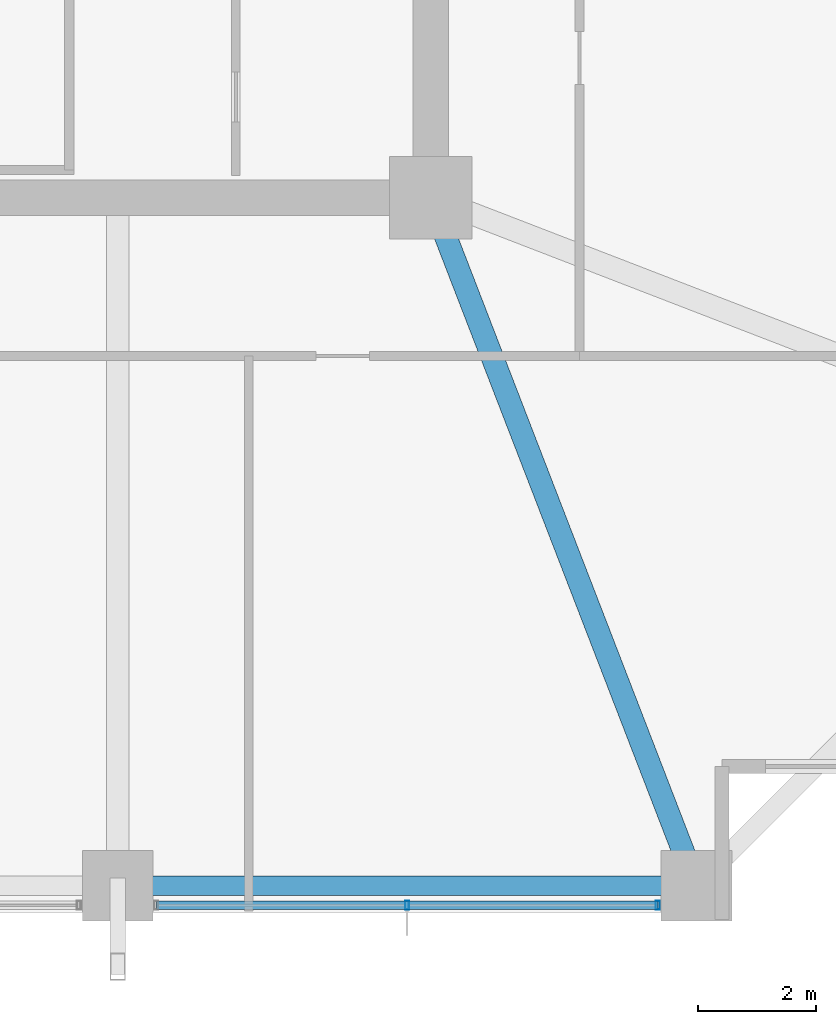
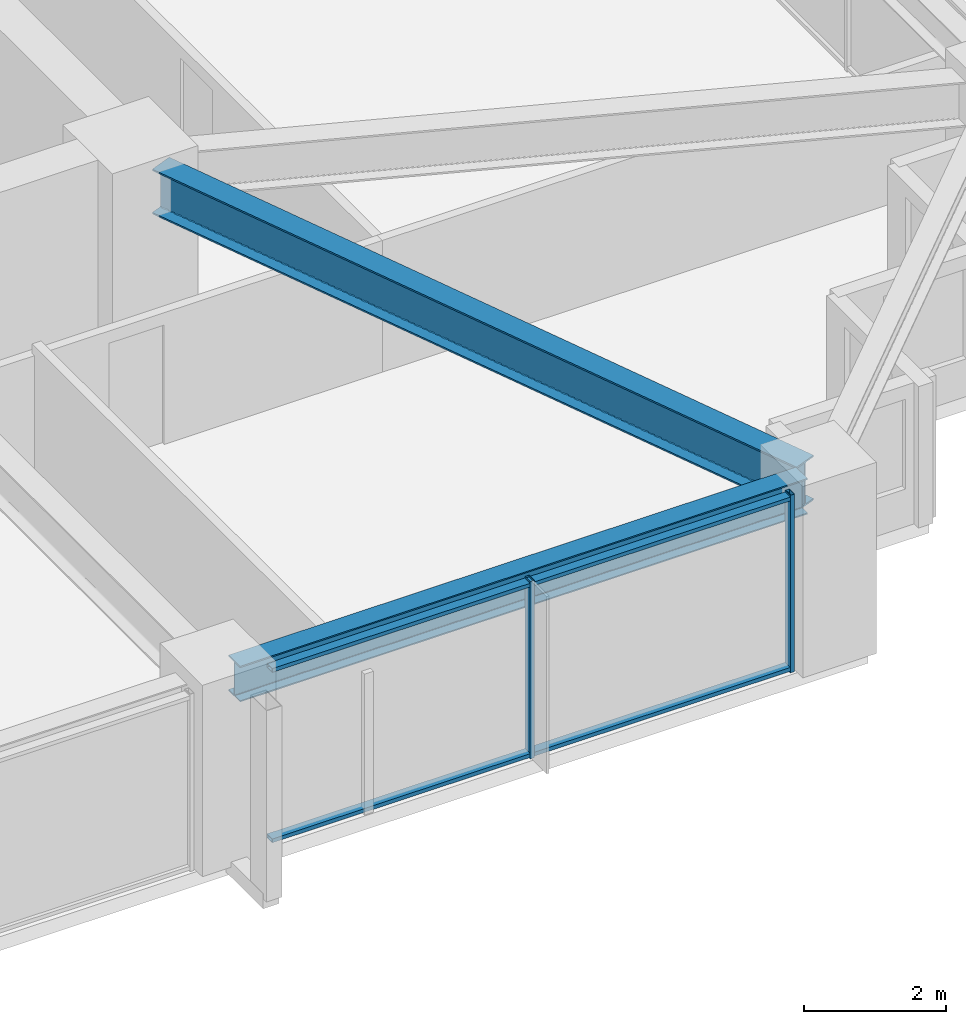
# One storey, part 11 of 36: 4 members, 2 beams, 1 element without a shape of its own.
"""IFC4 building model written with IfcOpenShell, lengths in metres."""

from ifc_helpers import new_model, si_unit, direction, frame, origin, origin_2d, place, context, subcontext, project, spatial, hollow_rectangle, i_section, extrude, material, material_profile, profile_set, type_object, element, aggregate, save


model = new_model("IFC4")

# Units and contexts
model_context = context("Model", 3, precision=1e-05, world=origin(), true_north=direction((0.0, 1.0)))
body_context = subcontext(model_context, "Body", "Model", "MODEL_VIEW")
ifc_project = project(units=[si_unit("LENGTHUNIT", "METRE"), si_unit("AREAUNIT", "SQUARE_METRE"), si_unit("VOLUMEUNIT", "CUBIC_METRE"), si_unit("PLANEANGLEUNIT", "RADIAN"), si_unit("MASSUNIT", "GRAM", prefix="KILO")], contexts=[model_context])

# Site, building, storey
site_placement = place(None, origin())
site = spatial("IfcSite", under=ifc_project, at=site_placement, CompositionType="ELEMENT")
building_placement = place(site_placement, origin())
building = spatial("IfcBuilding", under=site, at=building_placement, Name="Kolvaren Belvedere", CompositionType="ELEMENT")
storey_placement = place(building_placement, frame((0.0, 0.0, 46.89990234375)))
storey = spatial("IfcBuildingStorey", under=building, at=storey_placement, Name="L13", CompositionType="ELEMENT", Elevation=46.89990234375)

# Beams
ifc_material_1 = material(Name="Structural steel ASTM A992 Grade 50", Category="steel")
ifc_material_profile_1 = material_profile(ifc_material_1, i_section(OverallWidth=0.381103515625, OverallDepth=0.77294921875, WebThickness=0.0166015625, FlangeThickness=0.027099609375, FilletRadius=0.02392578125, at=origin_2d()), Name="W30X173")
ifc_profile_set_1 = profile_set([ifc_material_profile_1], Name="Structural steel ASTM A992 Grade 50")
beam_type_1 = type_object("IfcBeamType", Name="BM-GIRD-W30X173", PredefinedType="BEAM", material=ifc_profile_set_1)
beam_1_placement = place(storey_placement, frame((10.09814453125, -10.4130859375, 2.673583984375), z_axis=(0.360318391835, -0.932829382313, 0.0), x_axis=(0.932829382313, 0.360318391835, 0.0)))
element("IfcBeam", 1, at=beam_1_placement, inside=storey, type_object=beam_type_1, Name="L13 Corner Core-to-Perimeter Girder CC2-S4", PredefinedType="BEAM", context=body_context, shape_type="SweptSolid", body=[
    extrude(i_section(OverallWidth=0.381103515625, OverallDepth=0.77294921875, WebThickness=0.0166015625, FlangeThickness=0.027099609375, FilletRadius=0.02392578125, at=origin_2d()), origin(), (0.0, 0.0, 1.0), 11.698974609375),
])
ifc_material_2 = material(Name="Structural steel ASTM A992 Grade 50", Category="steel")
ifc_material_profile_2 = material_profile(ifc_material_2, i_section(OverallWidth=0.324951171875, OverallDepth=0.615966796875, WebThickness=0.013916015625, FlangeThickness=0.021484375, FilletRadius=0.02001953125, at=origin_2d()), Name="W24X117")
ifc_profile_set_2 = profile_set([ifc_material_profile_2], Name="Structural steel ASTM A992 Grade 50")
beam_type_2 = type_object("IfcBeamType", Name="BM-SPAN-W24X117", PredefinedType="SPANDREL", material=ifc_profile_set_2)
beam_2_placement = place(storey_placement, frame((4.8701171875, -21.550048828125, 2.752197265625), z_axis=(1.0, 0.0, 0.0), x_axis=(0.0, 1.0, 0.0)))
element("IfcBeam", 2, at=beam_2_placement, inside=storey, type_object=beam_type_2, Name="L13 Perimeter Spandrel S3-S4", PredefinedType="SPANDREL", context=body_context, shape_type="SweptSolid", body=[
    extrude(i_section(OverallWidth=0.324951171875, OverallDepth=0.615966796875, WebThickness=0.013916015625, FlangeThickness=0.021484375, FilletRadius=0.02001953125, at=origin_2d()), origin(), (0.0, 0.0, 1.0), 9.259765625),
])

# Curtain wall, members
ifc_material_3 = material(Name="Anodised pale-metal aluminium AA 6063-T6", Category="aluminium")
curtain_wall_type = type_object("IfcCurtainWallType", Name="CW-Z1-LOW", PredefinedType="NOTDEFINED", material=ifc_material_3)
curtain_wall_placement = place(storey_placement, origin())
curtain_wall = element("IfcCurtainWall", 3, at=curtain_wall_placement, inside=storey, type_object=curtain_wall_type, Name="L13 Unitised Curtain Wall FCW-L13-S-B1", PredefinedType="NOTDEFINED")
ifc_material_4 = material(Name="Anodised pale-metal aluminium AA 6063-T6", Category="aluminium")
ifc_material_profile_3 = material_profile(ifc_material_4, hollow_rectangle(XDim=0.070068359375, YDim=0.14990234375, WallThickness=0.004150390625, at=origin_2d()), Name="ALU-MUL-150X70")
ifc_profile_set_3 = profile_set([ifc_material_profile_3], Name="Anodised pale-metal aluminium AA 6063-T6")
member_type_1 = type_object("IfcMemberType", Name="CW-MUL-150", PredefinedType="MULLION", material=ifc_profile_set_3)
member_1_placement = place(storey_placement, frame((13.7451171875, -21.8798828125, 0.0), z_axis=(0.0, 0.0, 1.0), x_axis=(1.0, 0.0, 0.0)))
member_1 = element("IfcMember", 4, at=member_1_placement, type_object=member_type_1, Name="FCW-L13-S-B1 Unitised Mullion 1", PredefinedType="MULLION", context=body_context, shape_type="SweptSolid", body=[
    extrude(hollow_rectangle(XDim=0.070068359375, YDim=0.14990234375, WallThickness=0.004150390625, at=origin_2d()), origin(), (0.0, 0.0, 1.0), 3.06005859375),
])
member_2_placement = place(storey_placement, frame((9.5, -21.8798828125, 0.0), z_axis=(0.0, 0.0, 1.0), x_axis=(1.0, 0.0, 0.0)))
member_2 = element("IfcMember", 5, at=member_2_placement, type_object=member_type_1, Name="FCW-L13-S-B1 Unitised Mullion 2", PredefinedType="MULLION", context=body_context, shape_type="SweptSolid", body=[
    extrude(hollow_rectangle(XDim=0.070068359375, YDim=0.14990234375, WallThickness=0.004150390625, at=origin_2d()), origin(), (0.0, 0.0, 1.0), 3.06005859375),
])
ifc_material_5 = material(Name="Anodised pale-metal aluminium AA 6063-T6", Category="aluminium")
ifc_material_profile_4 = material_profile(ifc_material_5, hollow_rectangle(XDim=0.06494140625, YDim=0.14990234375, WallThickness=0.00390625, at=origin_2d()), Name="ALU-TRN-150X65")
ifc_profile_set_4 = profile_set([ifc_material_profile_4], Name="Anodised pale-metal aluminium AA 6063-T6")
member_type_2 = type_object("IfcMemberType", Name="CW-TRN-150", PredefinedType="USERDEFINED", material=ifc_profile_set_4)
member_3_placement = place(storey_placement, frame((13.7451171875, -21.8798828125, 0.06005859375), z_axis=(-1.0, 0.0, 0.0), x_axis=(0.0, 0.0, 1.0)))
member_3 = element("IfcMember", 6, at=member_3_placement, type_object=member_type_2, Name="FCW-L13-S-B1 Sill Transom", ObjectType="TRANSOM", PredefinedType="USERDEFINED", context=body_context, shape_type="SweptSolid", body=[
    extrude(hollow_rectangle(XDim=0.06494140625, YDim=0.14990234375, WallThickness=0.00390625, at=origin_2d()), origin(), (0.0, 0.0, 1.0), 8.490234375),
])
member_4_placement = place(storey_placement, frame((13.7451171875, -21.8798828125, 3.0), z_axis=(-1.0, 0.0, 0.0), x_axis=(0.0, 0.0, 1.0)))
member_4 = element("IfcMember", 7, at=member_4_placement, type_object=member_type_2, Name="FCW-L13-S-B1 Head Transom", ObjectType="TRANSOM", PredefinedType="USERDEFINED", context=body_context, shape_type="SweptSolid", body=[
    extrude(hollow_rectangle(XDim=0.06494140625, YDim=0.14990234375, WallThickness=0.00390625, at=origin_2d()), origin(), (0.0, 0.0, 1.0), 8.490234375),
])
aggregate(curtain_wall, [member_1, member_2, member_3, member_4])

save(model, "model.ifc")
